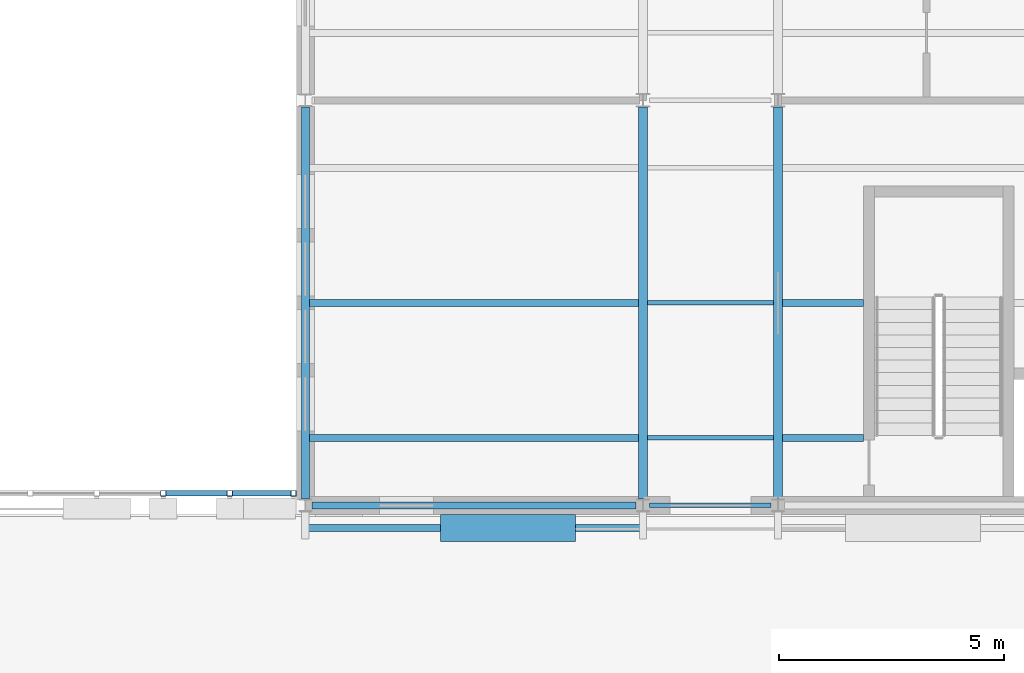
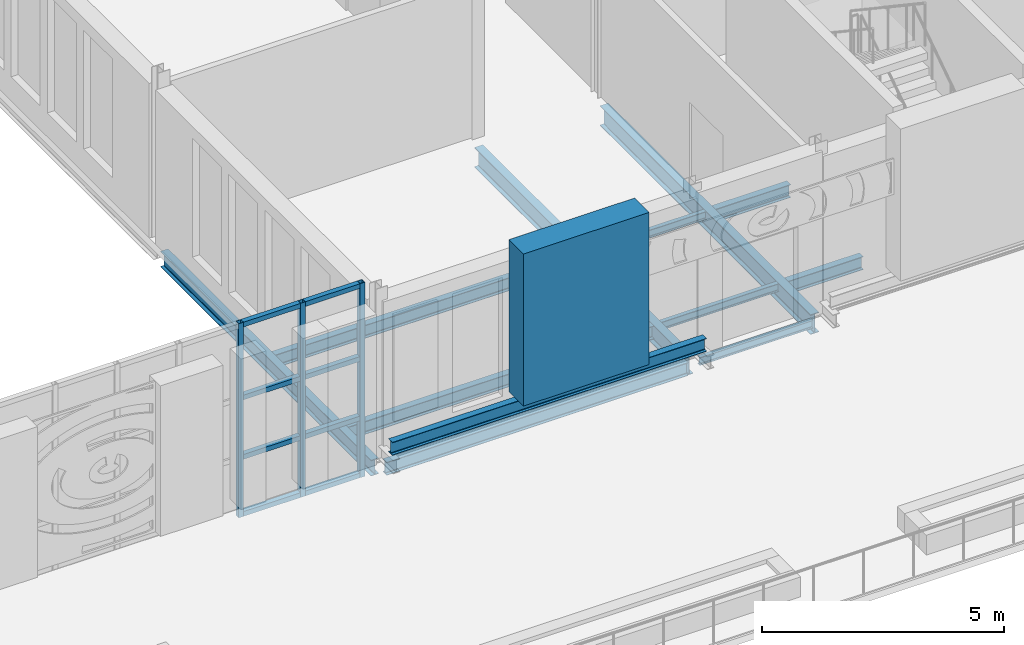
# One storey, part 28 of 134: 12 beams, 12 members, 1 element without a shape of its own.
"""IFC4 building model written with IfcOpenShell, lengths in metres."""

from ifc_helpers import new_model, si_unit, direction, frame, origin, origin_2d, place, context, subcontext, project, spatial, rectangle, hollow_rectangle, i_section, extrude, material, material_profile, profile_set, type_object, element, aggregate, save


model = new_model("IFC4")

# Units and contexts
model_context = context("Model", 3, precision=1e-05, world=origin(), true_north=direction((0.0, 1.0)))
body_context = subcontext(model_context, "Body", "Model", "MODEL_VIEW")
ifc_project = project(units=[si_unit("LENGTHUNIT", "METRE"), si_unit("AREAUNIT", "SQUARE_METRE"), si_unit("VOLUMEUNIT", "CUBIC_METRE"), si_unit("PLANEANGLEUNIT", "RADIAN"), si_unit("MASSUNIT", "GRAM", prefix="KILO")], contexts=[model_context])

# Site, building, storey
site_placement = place(None, origin())
site = spatial("IfcSite", under=ifc_project, at=site_placement, CompositionType="ELEMENT")
building_placement = place(site_placement, origin())
building = spatial("IfcBuilding", under=site, at=building_placement, Name="Golden Quay Civic Hall", CompositionType="ELEMENT")
storey_placement = place(building_placement, frame((0.0, 0.0, 5.39990234375)))
storey = spatial("IfcBuildingStorey", under=building, at=storey_placement, Name="L01", CompositionType="ELEMENT", Elevation=5.39990234375)

# Member
ifc_material_1 = material(Name="Concrete C40/50", Category="concrete")
ifc_material_profile_1 = material_profile(ifc_material_1, rectangle(XDim=3.0, YDim=0.60009765625, at=origin_2d()), Name="RC 3000x600")
ifc_profile_set_1 = profile_set([ifc_material_profile_1], Name="Concrete C40/50")
member_type_1 = type_object("IfcMemberType", Name="Precast concrete facade pier 3000 x 600", PredefinedType="POST", material=ifc_profile_set_1)
member_1_placement = place(storey_placement, frame((103.5, -0.5, 0.66015625), z_axis=(0.0, 0.0, 1.0), x_axis=(1.0, 0.0, 0.0)))
element("IfcMember", 1, at=member_1_placement, inside=storey, type_object=member_type_1, Name="Precast concrete facade pier 3000 x 600 L01 32", PredefinedType="POST", context=body_context, shape_type="SweptSolid", body=[
    extrude(rectangle(XDim=3.0, YDim=0.60009765625, at=origin_2d()), origin(), (0.0, 0.0, 1.0), 3.83984375),
])

# Beams
ifc_material_2 = material(Name="Steel S355", Category="steel")
ifc_material_profile_2 = material_profile(ifc_material_2, i_section(OverallWidth=0.10009765625, OverallDepth=0.199951171875, WebThickness=0.005615234375, FlangeThickness=0.008544921875, FilletRadius=0.011962890625, at=origin_2d()), Name="IPE 200")
ifc_profile_set_2 = profile_set([ifc_material_profile_2], Name="Steel S355")
beam_type_1 = type_object("IfcBeamType", Name="Steel beam IPE 200", PredefinedType="BEAM", material=ifc_profile_set_2)
beam_1_placement = place(storey_placement, frame((106.64990234375, 0.0, -0.2998046875), z_axis=(1.0, 0.0, 0.0), x_axis=(0.0, 1.0, 0.0)))
element("IfcBeam", 2, at=beam_1_placement, inside=storey, type_object=beam_type_1, Name="Beam S0-106.5", PredefinedType="BEAM", context=body_context, shape_type="SweptSolid", body=[
    extrude(i_section(OverallWidth=0.10009765625, OverallDepth=0.199951171875, WebThickness=0.005615234375, FlangeThickness=0.008544921875, FilletRadius=0.011962890625, at=origin_2d()), origin(), (0.0, 0.0, 1.0), 2.7001953125),
])
ifc_material_3 = material(Name="Steel S355", Category="steel")
ifc_material_profile_3 = material_profile(ifc_material_3, i_section(OverallWidth=0.159912109375, OverallDepth=0.330078125, WebThickness=0.007568359375, FlangeThickness=0.011474609375, FilletRadius=0.01806640625, at=origin_2d()), Name="IPE 330")
ifc_profile_set_3 = profile_set([ifc_material_profile_3], Name="Steel S355")
beam_type_2 = type_object("IfcBeamType", Name="Steel beam IPE 330", PredefinedType="BEAM", material=ifc_profile_set_3)
beam_2_placement = place(storey_placement, frame((99.14990234375, 0.0, -0.364990234375), z_axis=(1.0, 0.0, 0.0), x_axis=(0.0, 1.0, 0.0)))
element("IfcBeam", 3, at=beam_2_placement, inside=storey, type_object=beam_type_2, Name="Beam S0-99", PredefinedType="BEAM", context=body_context, shape_type="SweptSolid", body=[
    extrude(i_section(OverallWidth=0.159912109375, OverallDepth=0.330078125, WebThickness=0.007568359375, FlangeThickness=0.011474609375, FilletRadius=0.01806640625, at=origin_2d()), origin(), (0.0, 0.0, 1.0), 7.2001953125),
])
ifc_material_4 = material(Name="Steel S355", Category="steel")
ifc_material_profile_4 = material_profile(ifc_material_4, i_section(OverallWidth=0.179931640625, OverallDepth=0.39990234375, WebThickness=0.008544921875, FlangeThickness=0.013427734375, FilletRadius=0.02099609375, at=origin_2d()), Name="IPE 400")
ifc_profile_set_4 = profile_set([ifc_material_profile_4], Name="Steel S355")
beam_type_3 = type_object("IfcBeamType", Name="Steel beam IPE 400", PredefinedType="BEAM", material=ifc_profile_set_4)
beam_3_placement = place(storey_placement, frame((99.0, 0.14501953125, -0.39990234375), z_axis=(0.0, 1.0, 0.0), x_axis=(-1.0, 0.0, 0.0)))
element("IfcBeam", 4, at=beam_3_placement, inside=storey, type_object=beam_type_3, Name="Beam L99-0", PredefinedType="BEAM", context=body_context, shape_type="SweptSolid", body=[
    extrude(i_section(OverallWidth=0.179931640625, OverallDepth=0.39990234375, WebThickness=0.008544921875, FlangeThickness=0.013427734375, FilletRadius=0.02099609375, at=origin_2d()), origin(), (0.0, 0.0, 1.0), 8.7099609375),
])
ifc_material_5 = material(Name="Steel S355", Category="steel")
ifc_material_profile_5 = material_profile(ifc_material_5, i_section(OverallWidth=0.199951171875, OverallDepth=0.5, WebThickness=0.01025390625, FlangeThickness=0.01611328125, FilletRadius=0.02099609375, at=origin_2d()), Name="IPE 500")
ifc_profile_set_5 = profile_set([ifc_material_profile_5], Name="Steel S355")
beam_type_4 = type_object("IfcBeamType", Name="Steel beam IPE 500", PredefinedType="BEAM", material=ifc_profile_set_5)
for number, where, z_axis, x_axis, name in (
    (5, (106.5, 0.14501953125, -0.449951171875), (0.0, 1.0, 0.0), (-1.0, 0.0, 0.0), "Beam L106.5-0"),
    (6, (109.5, 0.14501953125, -0.449951171875), (0.0, 1.0, 0.0), (-1.0, 0.0, 0.0), "Beam L109.5-0"),
):
    element("IfcBeam", number, at=place(storey_placement, frame(where, z_axis=z_axis, x_axis=x_axis)), inside=storey, type_object=beam_type_4, Name=name, PredefinedType="BEAM", context=body_context, shape_type="SweptSolid", body=[
        extrude(i_section(OverallWidth=0.199951171875, OverallDepth=0.5, WebThickness=0.01025390625, FlangeThickness=0.01611328125, FilletRadius=0.02099609375, at=origin_2d()), origin(), (0.0, 0.0, 1.0), 8.705078125),
    ])
ifc_material_6 = material(Name="Steel S355", Category="steel")
ifc_material_profile_6 = material_profile(ifc_material_6, i_section(OverallWidth=0.10009765625, OverallDepth=0.199951171875, WebThickness=0.005615234375, FlangeThickness=0.008544921875, FilletRadius=0.011962890625, at=origin_2d()), Name="IPE 200")
ifc_profile_set_6 = profile_set([ifc_material_profile_6], Name="Steel S355")
beam_type_5 = type_object("IfcBeamType", Name="Steel joist IPE 200", PredefinedType="JOIST", material=ifc_profile_set_6)
for number, where, z_axis, x_axis, name in (
    (7, (106.60009765625, 1.5, -0.2998046875), (1.0, 0.0, 0.0), (0.0, 1.0, 0.0), "Joist J1.5-106.5"),
    (8, (106.60009765625, 4.5, -0.2998046875), (1.0, 0.0, 0.0), (0.0, 1.0, 0.0), "Joist J4.5-106.5"),
):
    element("IfcBeam", number, at=place(storey_placement, frame(where, z_axis=z_axis, x_axis=x_axis)), inside=storey, type_object=beam_type_5, Name=name, PredefinedType="JOIST", context=body_context, shape_type="SweptSolid", body=[
        extrude(i_section(OverallWidth=0.10009765625, OverallDepth=0.199951171875, WebThickness=0.005615234375, FlangeThickness=0.008544921875, FilletRadius=0.011962890625, at=origin_2d()), origin(), (0.0, 0.0, 1.0), 2.7998046875),
    ])
ifc_material_7 = material(Name="Steel S355", Category="steel")
ifc_material_profile_7 = material_profile(ifc_material_7, i_section(OverallWidth=0.159912109375, OverallDepth=0.330078125, WebThickness=0.007568359375, FlangeThickness=0.011474609375, FilletRadius=0.01806640625, at=origin_2d()), Name="IPE 330")
ifc_profile_set_7 = profile_set([ifc_material_profile_7], Name="Steel S355")
beam_type_6 = type_object("IfcBeamType", Name="Steel joist IPE 330", PredefinedType="JOIST", material=ifc_profile_set_7)
beam_4_placement = place(storey_placement, frame((99.090087890625, 1.5, -0.364990234375), z_axis=(1.0, 0.0, 0.0), x_axis=(0.0, 1.0, 0.0)))
element("IfcBeam", 9, at=beam_4_placement, inside=storey, type_object=beam_type_6, Name="Joist J1.5-99", PredefinedType="JOIST", context=body_context, shape_type="SweptSolid", body=[
    extrude(i_section(OverallWidth=0.159912109375, OverallDepth=0.330078125, WebThickness=0.007568359375, FlangeThickness=0.011474609375, FilletRadius=0.01806640625, at=origin_2d()), origin(), (0.0, 0.0, 1.0), 7.309814453125),
])
beam_5_placement = place(storey_placement, frame((109.60009765625, 1.5, -0.364990234375), z_axis=(1.0, 0.0, 0.0), x_axis=(0.0, 1.0, 0.0)))
element("IfcBeam", 10, at=beam_5_placement, inside=storey, type_object=beam_type_6, Name="Joist J1.5-109.5-0", PredefinedType="JOIST", context=body_context, shape_type="SweptSolid", body=[
    extrude(i_section(OverallWidth=0.159912109375, OverallDepth=0.330078125, WebThickness=0.007568359375, FlangeThickness=0.011474609375, FilletRadius=0.01806640625, at=origin_2d()), origin(), (0.0, 0.0, 1.0), 1.7998046875),
])
beam_6_placement = place(storey_placement, frame((99.090087890625, 4.5, -0.364990234375), z_axis=(1.0, 0.0, 0.0), x_axis=(0.0, 1.0, 0.0)))
element("IfcBeam", 11, at=beam_6_placement, inside=storey, type_object=beam_type_6, Name="Joist J4.5-99", PredefinedType="JOIST", context=body_context, shape_type="SweptSolid", body=[
    extrude(i_section(OverallWidth=0.159912109375, OverallDepth=0.330078125, WebThickness=0.007568359375, FlangeThickness=0.011474609375, FilletRadius=0.01806640625, at=origin_2d()), origin(), (0.0, 0.0, 1.0), 7.309814453125),
])
beam_7_placement = place(storey_placement, frame((109.60009765625, 4.5, -0.364990234375), z_axis=(1.0, 0.0, 0.0), x_axis=(0.0, 1.0, 0.0)))
element("IfcBeam", 12, at=beam_7_placement, inside=storey, type_object=beam_type_6, Name="Joist J4.5-109.5-0", PredefinedType="JOIST", context=body_context, shape_type="SweptSolid", body=[
    extrude(i_section(OverallWidth=0.159912109375, OverallDepth=0.330078125, WebThickness=0.007568359375, FlangeThickness=0.011474609375, FilletRadius=0.01806640625, at=origin_2d()), origin(), (0.0, 0.0, 1.0), 1.7998046875),
])

# Curtain wall, members
ifc_material_8 = material(Name="Glass and aluminium", Category="aluminium")
curtain_wall_type = type_object("IfcCurtainWallType", Name="Glazed curtain wall 1500 module", PredefinedType="NOTDEFINED", material=ifc_material_8)
curtain_wall_placement = place(storey_placement, origin())
curtain_wall = element("IfcCurtainWall", 13, at=curtain_wall_placement, inside=storey, type_object=curtain_wall_type, Name="CW1 curtain wall", PredefinedType="NOTDEFINED")
ifc_material_9 = material(Name="Steel S355", Category="steel")
ifc_material_profile_8 = material_profile(ifc_material_9, hollow_rectangle(XDim=0.1201171875, YDim=0.1201171875, WallThickness=0.008056640625, at=origin_2d()), Name="SHS 120x120x8")
ifc_profile_set_8 = profile_set([ifc_material_profile_8], Name="Steel S355")
member_type_2 = type_object("IfcMemberType", Name="Steel mullion SHS 120x120x8", PredefinedType="MULLION", material=ifc_profile_set_8)
member_2_placement = place(storey_placement, frame((95.844482421875, 0.27001953125, -0.599853515625), z_axis=(0.0, 0.0, 1.0), x_axis=(0.0, 1.0, 0.0)))
member_2 = element("IfcMember", 14, at=member_2_placement, type_object=member_type_2, Name="CW1 mullion 17", PredefinedType="MULLION", context=body_context, shape_type="SweptSolid", body=[
    extrude(hollow_rectangle(XDim=0.1201171875, YDim=0.1201171875, WallThickness=0.008056640625, at=origin_2d()), origin(), (0.0, 0.0, 1.0), 4.89990234375),
])
member_3_placement = place(storey_placement, frame((97.322265625, 0.27001953125, -0.599853515625), z_axis=(0.0, 0.0, 1.0), x_axis=(0.0, 1.0, 0.0)))
member_3 = element("IfcMember", 15, at=member_3_placement, type_object=member_type_2, Name="CW1 mullion 18", PredefinedType="MULLION", context=body_context, shape_type="SweptSolid", body=[
    extrude(hollow_rectangle(XDim=0.1201171875, YDim=0.1201171875, WallThickness=0.008056640625, at=origin_2d()), origin(), (0.0, 0.0, 1.0), 4.89990234375),
])
member_4_placement = place(storey_placement, frame((98.739990234375, 0.27001953125, -0.599853515625), z_axis=(0.0, 0.0, 1.0), x_axis=(0.0, 1.0, 0.0)))
member_4 = element("IfcMember", 16, at=member_4_placement, type_object=member_type_2, Name="CW1 mullion 19", PredefinedType="MULLION", context=body_context, shape_type="SweptSolid", body=[
    extrude(hollow_rectangle(XDim=0.1201171875, YDim=0.1201171875, WallThickness=0.008056640625, at=origin_2d()), origin(), (0.0, 0.0, 1.0), 4.89990234375),
])

# Beam
ifc_material_10 = material(Name="Steel S355", Category="steel")
ifc_material_profile_9 = material_profile(ifc_material_10, i_section(OverallWidth=0.159912109375, OverallDepth=0.330078125, WebThickness=0.007568359375, FlangeThickness=0.011474609375, FilletRadius=0.01806640625, at=origin_2d()), Name="IPE 330")
ifc_profile_set_9 = profile_set([ifc_material_profile_9], Name="Steel S355")
beam_type_7 = type_object("IfcBeamType", Name="Steel pier plinth beam IPE 330", PredefinedType="BEAM", material=ifc_profile_set_9)
beam_8_placement = place(storey_placement, frame((99.0, -0.5, 0.4951171875), z_axis=(1.0, 0.0, 0.0), x_axis=(0.0, 1.0, 0.0)))
element("IfcBeam", 17, at=beam_8_placement, inside=storey, type_object=beam_type_7, Name="Steel pier plinth beam IPE 330 L01 3", PredefinedType="BEAM", context=body_context, shape_type="SweptSolid", body=[
    extrude(i_section(OverallWidth=0.159912109375, OverallDepth=0.330078125, WebThickness=0.007568359375, FlangeThickness=0.011474609375, FilletRadius=0.01806640625, at=origin_2d()), origin(), (0.0, 0.0, 1.0), 7.5),
])

# Member
ifc_material_11 = material(Name="Steel S355", Category="steel")
ifc_material_profile_10 = material_profile(ifc_material_11, hollow_rectangle(XDim=0.1201171875, YDim=0.1201171875, WallThickness=0.008056640625, at=origin_2d()), Name="SHS 120x120x8")
ifc_profile_set_10 = profile_set([ifc_material_profile_10], Name="Steel S355")
member_type_3 = type_object("IfcMemberType", Name="Steel transom SHS 120x120x8", PredefinedType="USERDEFINED", material=ifc_profile_set_10)
member_5_placement = place(storey_placement, frame((95.904541015625, 0.27001953125, -0.539794921875), z_axis=(1.0, 0.0, 0.0), x_axis=(0.0, 1.0, 0.0)))
member_5 = element("IfcMember", 18, at=member_5_placement, type_object=member_type_3, Name="CW1 transom 17.1", ObjectType="TRANSOM", PredefinedType="USERDEFINED", context=body_context, shape_type="SweptSolid", body=[
    extrude(hollow_rectangle(XDim=0.1201171875, YDim=0.1201171875, WallThickness=0.008056640625, at=origin_2d()), origin(), (0.0, 0.0, 1.0), 1.357666015625),
])

member_6_placement = place(storey_placement, frame((95.904541015625, 0.27001953125, 0.900146484375), z_axis=(1.0, 0.0, 0.0), x_axis=(0.0, 1.0, 0.0)))
member_6 = element("IfcMember", 19, at=member_6_placement, type_object=member_type_3, Name="CW1 transom 17.2", ObjectType="TRANSOM", PredefinedType="USERDEFINED", context=body_context, shape_type="SweptSolid", body=[
    extrude(hollow_rectangle(XDim=0.1201171875, YDim=0.1201171875, WallThickness=0.008056640625, at=origin_2d()), origin(), (0.0, 0.0, 1.0), 1.357666015625),
])

member_7_placement = place(storey_placement, frame((95.904541015625, 0.27001953125, 2.400146484375), z_axis=(1.0, 0.0, 0.0), x_axis=(0.0, 1.0, 0.0)))
member_7 = element("IfcMember", 20, at=member_7_placement, type_object=member_type_3, Name="CW1 transom 17.3", ObjectType="TRANSOM", PredefinedType="USERDEFINED", context=body_context, shape_type="SweptSolid", body=[
    extrude(hollow_rectangle(XDim=0.1201171875, YDim=0.1201171875, WallThickness=0.008056640625, at=origin_2d()), origin(), (0.0, 0.0, 1.0), 1.357666015625),
])

member_8_placement = place(storey_placement, frame((95.904541015625, 0.27001953125, 4.239990234375), z_axis=(1.0, 0.0, 0.0), x_axis=(0.0, 1.0, 0.0)))
member_8 = element("IfcMember", 21, at=member_8_placement, type_object=member_type_3, Name="CW1 transom 17.4", ObjectType="TRANSOM", PredefinedType="USERDEFINED", context=body_context, shape_type="SweptSolid", body=[
    extrude(hollow_rectangle(XDim=0.1201171875, YDim=0.1201171875, WallThickness=0.008056640625, at=origin_2d()), origin(), (0.0, 0.0, 1.0), 1.357666015625),
])

member_9_placement = place(storey_placement, frame((97.38232421875, 0.27001953125, -0.539794921875), z_axis=(1.0, 0.0, 0.0), x_axis=(0.0, 1.0, 0.0)))
member_9 = element("IfcMember", 22, at=member_9_placement, type_object=member_type_3, Name="CW1 transom 18.1", ObjectType="TRANSOM", PredefinedType="USERDEFINED", context=body_context, shape_type="SweptSolid", body=[
    extrude(hollow_rectangle(XDim=0.1201171875, YDim=0.1201171875, WallThickness=0.008056640625, at=origin_2d()), origin(), (0.0, 0.0, 1.0), 1.297607421875),
])

member_10_placement = place(storey_placement, frame((97.38232421875, 0.27001953125, 0.900146484375), z_axis=(1.0, 0.0, 0.0), x_axis=(0.0, 1.0, 0.0)))
member_10 = element("IfcMember", 23, at=member_10_placement, type_object=member_type_3, Name="CW1 transom 18.2", ObjectType="TRANSOM", PredefinedType="USERDEFINED", context=body_context, shape_type="SweptSolid", body=[
    extrude(hollow_rectangle(XDim=0.1201171875, YDim=0.1201171875, WallThickness=0.008056640625, at=origin_2d()), origin(), (0.0, 0.0, 1.0), 1.297607421875),
])

member_11_placement = place(storey_placement, frame((97.38232421875, 0.27001953125, 2.400146484375), z_axis=(1.0, 0.0, 0.0), x_axis=(0.0, 1.0, 0.0)))
member_11 = element("IfcMember", 24, at=member_11_placement, type_object=member_type_3, Name="CW1 transom 18.3", ObjectType="TRANSOM", PredefinedType="USERDEFINED", context=body_context, shape_type="SweptSolid", body=[
    extrude(hollow_rectangle(XDim=0.1201171875, YDim=0.1201171875, WallThickness=0.008056640625, at=origin_2d()), origin(), (0.0, 0.0, 1.0), 1.297607421875),
])

member_12_placement = place(storey_placement, frame((97.38232421875, 0.27001953125, 4.239990234375), z_axis=(1.0, 0.0, 0.0), x_axis=(0.0, 1.0, 0.0)))
member_12 = element("IfcMember", 25, at=member_12_placement, type_object=member_type_3, Name="CW1 transom 18.4", ObjectType="TRANSOM", PredefinedType="USERDEFINED", context=body_context, shape_type="SweptSolid", body=[
    extrude(hollow_rectangle(XDim=0.1201171875, YDim=0.1201171875, WallThickness=0.008056640625, at=origin_2d()), origin(), (0.0, 0.0, 1.0), 1.297607421875),
])

aggregate(curtain_wall, [member_2, member_3, member_4, member_5, member_6, member_7, member_8, member_9, member_10, member_11, member_12])

save(model, "model.ifc")
